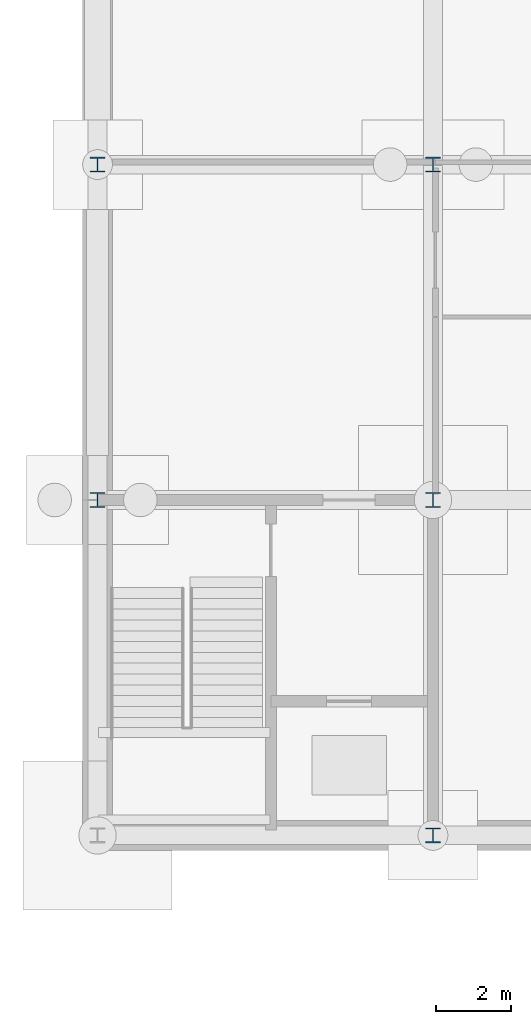
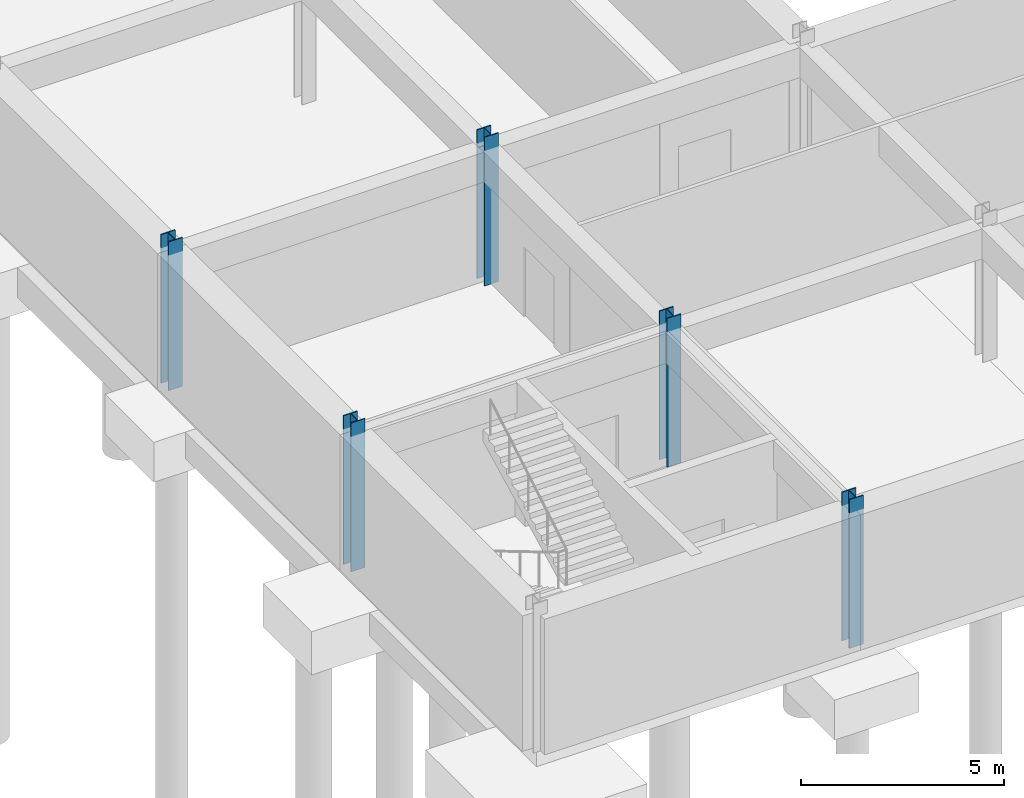
# One storey, part 6 of 41: 5 columns.
"""IFC4 building model written with IfcOpenShell, lengths in metres."""

from ifc_helpers import new_model, si_unit, direction, frame, origin, origin_2d, place, context, subcontext, project, spatial, i_section, extrude, material, material_profile, profile_set, type_object, element, save


model = new_model("IFC4")

# Units and contexts
model_context = context("Model", 3, precision=1e-05, world=origin(), true_north=direction((0.0, 1.0)))
body_context = subcontext(model_context, "Body", "Model", "MODEL_VIEW")
ifc_project = project(units=[si_unit("LENGTHUNIT", "METRE"), si_unit("AREAUNIT", "SQUARE_METRE"), si_unit("VOLUMEUNIT", "CUBIC_METRE"), si_unit("PLANEANGLEUNIT", "RADIAN"), si_unit("MASSUNIT", "GRAM", prefix="KILO")], contexts=[model_context])

# Site, building, storey
site_placement = place(None, origin())
site = spatial("IfcSite", under=ifc_project, at=site_placement, CompositionType="ELEMENT")
building_placement = place(site_placement, origin())
building = spatial("IfcBuilding", under=site, at=building_placement, Name="Palais des Congres Ocreval", CompositionType="ELEMENT")
storey_placement = place(building_placement, frame((0.0, 0.0, -8.9599609375)))
storey = spatial("IfcBuildingStorey", under=building, at=storey_placement, Name="B2", CompositionType="ELEMENT", Elevation=-8.9599609375)

# Columns
ifc_material = material(Name="Steel S355", Category="steel")
ifc_material_profile = material_profile(ifc_material, i_section(OverallWidth=0.40087890625, OverallDepth=0.39892578125, WebThickness=0.0185546875, FlangeThickness=0.030029296875, at=origin_2d()), Name="HD 400x314")
ifc_profile_set = profile_set([ifc_material_profile], Name="Steel S355")
column_type = type_object("IfcColumnType", Name="Column HD 400x314 Steel S355", PredefinedType="COLUMN", material=ifc_profile_set)
for number, where, z_axis, x_axis, name in (
    (1, (108.0, 9.0, 0.0), (0.0, 0.0, 1.0), (1.0, 0.0, 0.0), "Column C04 B2"),
    (2, (108.0, 18.0, 0.0), (0.0, 0.0, 1.0), (1.0, 0.0, 0.0), "Column C04 B2"),
    (3, (117.0, 0.0, 0.0), (0.0, 0.0, 1.0), (1.0, 0.0, 0.0), "Column C04 B2"),
    (4, (117.0, 9.0, 0.0), (0.0, 0.0, 1.0), (1.0, 0.0, 0.0), "Column C04 B2"),
    (5, (117.0, 18.0, 0.0), (0.0, 0.0, 1.0), (1.0, 0.0, 0.0), "Column C04 B2"),
):
    element("IfcColumn", number, at=place(storey_placement, frame(where, z_axis=z_axis, x_axis=x_axis)), inside=storey, type_object=column_type, Name=name, PredefinedType="COLUMN", context=body_context, shape_type="SweptSolid", body=[
        extrude(i_section(OverallWidth=0.40087890625, OverallDepth=0.39892578125, WebThickness=0.0185546875, FlangeThickness=0.030029296875, at=origin_2d()), origin(), (0.0, 0.0, 1.0), 4.47998046875),
    ])

save(model, "model.ifc")
